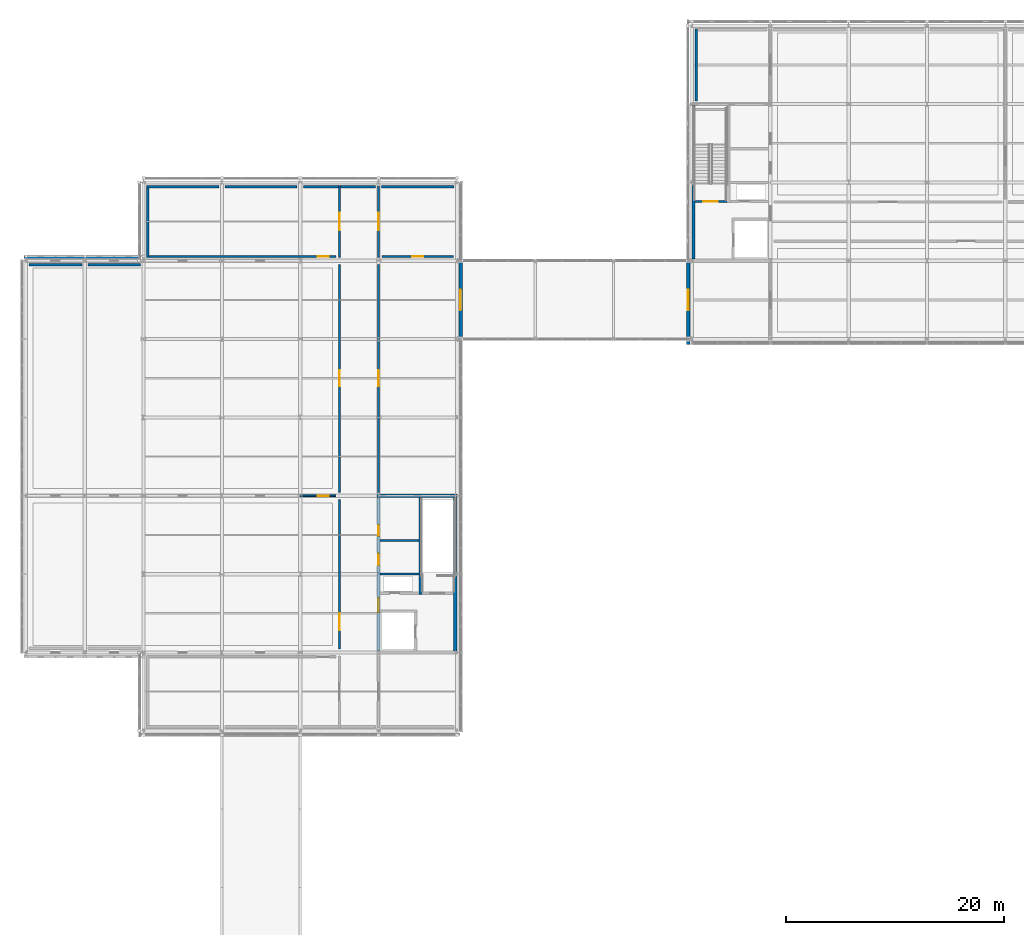
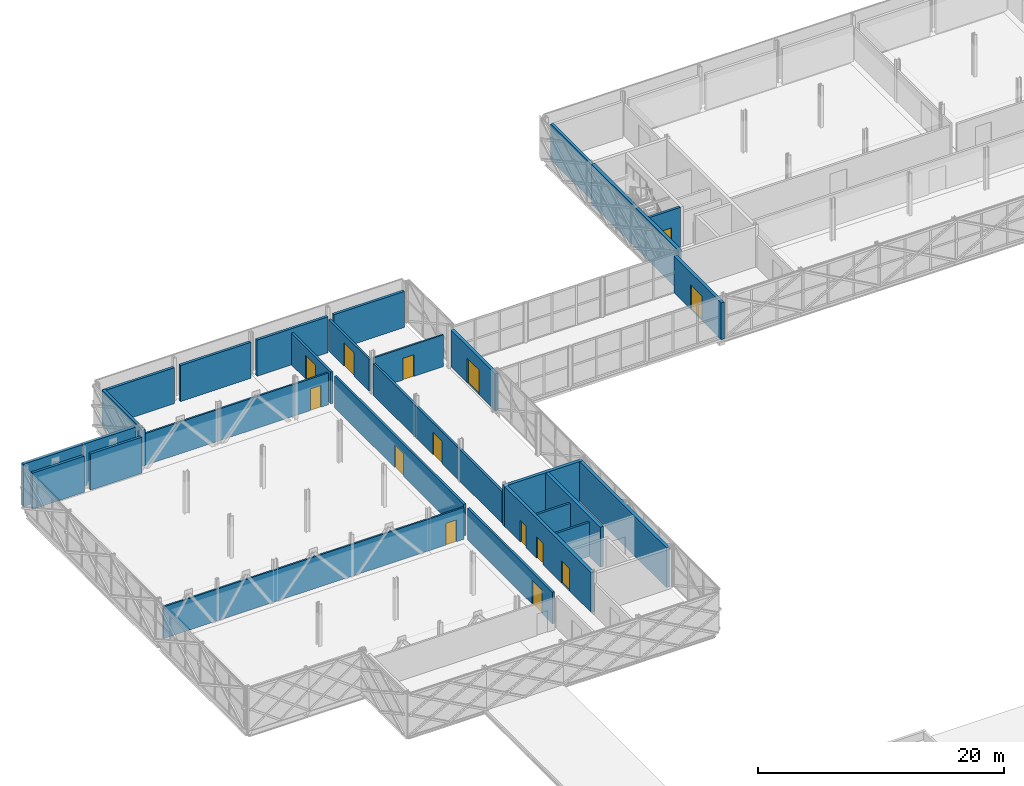
# One storey, part 88 of 103: 28 walls, 14 doors, 14 openings.
"""IFC4 building model written with IfcOpenShell, lengths in metres."""

from ifc_helpers import new_model, si_unit, direction, frame, frame_2d, origin, place, context, subcontext, project, spatial, rectangle, extrude, material, layer, layer_set, type_object, element, fill, save


model = new_model("IFC4")

# Units and contexts
model_context = context("Model", 3, precision=1e-05, world=origin(), true_north=direction((0.0, 1.0)))
body_context = subcontext(model_context, "Body", "Model", "MODEL_VIEW")
ifc_project = project(units=[si_unit("LENGTHUNIT", "METRE"), si_unit("AREAUNIT", "SQUARE_METRE"), si_unit("VOLUMEUNIT", "CUBIC_METRE"), si_unit("PLANEANGLEUNIT", "RADIAN"), si_unit("MASSUNIT", "GRAM", prefix="KILO")], contexts=[model_context])

# Site, building, storey
site_placement = place(None, origin())
site = spatial("IfcSite", under=ifc_project, at=site_placement, CompositionType="ELEMENT")
building_placement = place(site_placement, origin())
building = spatial("IfcBuilding", under=site, at=building_placement, Name="Zlatovets Crest Museum", CompositionType="ELEMENT")
storey_placement = place(building_placement, frame((0.0, 0.0, 12.89990234375)))
storey = spatial("IfcBuildingStorey", under=building, at=storey_placement, Name="L03", CompositionType="ELEMENT", Elevation=12.89990234375)

# Walls
ifc_material_1 = material(Name="Concrete C35/45", Category="concrete")
ifc_layer_1 = layer(ifc_material_1, 0.300048828125)
ifc_layer_set_1 = layer_set([ifc_layer_1], Name="Concrete C35/45")
wall_type_1 = type_object("IfcWallType", Name="CoreWall_SW01", PredefinedType="SHEAR", material=ifc_layer_set_1)
wall_1_placement = place(storey_placement, frame((57.75, 93.75, 0.0), z_axis=(0.0, 0.0, 1.0), x_axis=(0.0, 1.0, 0.0)))
element("IfcWall", 1, at=wall_1_placement, inside=storey, type_object=wall_type_1, Name="Core C1 L03 Perimeter Shear Wall", PredefinedType="SHEAR", context=body_context, shape_type="SweptSolid", body=[
    extrude(rectangle(XDim=14.10009765625, YDim=0.300048828125, at=frame_2d((7.050048828125, 0.0))), origin(), (0.0, 0.0, 1.0), 3.960205078125),
])
wall_2_placement = place(storey_placement, frame((28.64990234375, 72.0, 0.0), z_axis=(0.0, 0.0, 1.0), x_axis=(1.0, 0.0, 0.0)))
element("IfcWall", 2, at=wall_2_placement, inside=storey, type_object=wall_type_1, Name="Core C4 L03 North Shear Wall", PredefinedType="SHEAR", context=body_context, shape_type="SweptSolid", body=[
    extrude(rectangle(XDim=7.35009765625, YDim=0.300048828125, at=frame_2d((3.675048828125, 0.0))), origin(), (0.0, 0.0, 1.0), 3.960205078125),
])
wall_3_placement = place(storey_placement, frame((35.85009765625, 57.75, 0.0), z_axis=(0.0, 0.0, 1.0), x_axis=(0.0, 1.0, 0.0)))
element("IfcWall", 3, at=wall_3_placement, inside=storey, type_object=wall_type_1, Name="Core C4 L03 Perimeter Shear Wall", PredefinedType="SHEAR", context=body_context, shape_type="SweptSolid", body=[
    extrude(rectangle(XDim=14.10009765625, YDim=0.300048828125, at=frame_2d((7.050048828125, 0.0))), origin(), (0.0, 0.0, 1.0), 3.960205078125),
])

# Wall, openings, doors
wall_4_placement = place(storey_placement, frame((28.800048828125, 57.75, 0.0), z_axis=(0.0, 0.0, 1.0), x_axis=(0.0, 1.0, 0.0)))
wall_4 = element("IfcWall", 4, at=wall_4_placement, inside=storey, type_object=wall_type_1, Name="Core C4 L03 Spine Shear Wall", PredefinedType="SHEAR", context=body_context, shape_type="SweptSolid", body=[
    extrude(rectangle(XDim=14.10009765625, YDim=0.300048828125, at=frame_2d((7.050048828125, 0.0))), origin(), (0.0, 0.0, 1.0), 3.960205078125),
])
opening_1_placement = place(wall_4_placement, frame((3.550048828125, 0.0, 0.0)))
opening_1 = element("IfcOpeningElement", 5, at=opening_1_placement, cuts=wall_4, Name="Opening FD-01", PredefinedType="OPENING", context=body_context, shape_type="SweptSolid", body=[
    extrude(rectangle(XDim=1.300048828125, YDim=2.199951171875, at=frame_2d((0.64990234375, 1.10009765625))), frame((0.0, 0.16015625, 0.0), z_axis=(0.0, -1.0, 0.0), x_axis=(1.0, 0.0, 0.0)), (0.0, 0.0, 1.0), 0.320068359375),
])
opening_2_placement = place(wall_4_placement, frame((7.85009765625, 0.0, 0.0)))
opening_2 = element("IfcOpeningElement", 6, at=opening_2_placement, cuts=wall_4, Name="Opening ID-02", PredefinedType="OPENING", context=body_context, shape_type="SweptSolid", body=[
    extrude(rectangle(XDim=1.050048828125, YDim=2.14990234375, at=frame_2d((0.52490234375, 1.074951171875))), frame((0.0, 0.16015625, 0.0), z_axis=(0.0, -1.0, 0.0), x_axis=(1.0, 0.0, 0.0)), (0.0, 0.0, 1.0), 0.320068359375),
])
opening_3_placement = place(wall_4_placement, frame((10.550048828125, 0.0, 0.0)))
opening_3 = element("IfcOpeningElement", 7, at=opening_3_placement, cuts=wall_4, Name="Opening ID-01", PredefinedType="OPENING", context=body_context, shape_type="SweptSolid", body=[
    extrude(rectangle(XDim=1.0, YDim=2.14990234375, at=frame_2d((0.5, 1.074951171875))), frame((0.0, 0.16015625, 0.0), z_axis=(0.0, -1.0, 0.0), x_axis=(1.0, 0.0, 0.0)), (0.0, 0.0, 1.0), 0.320068359375),
])
ifc_material_2 = material(Name="Smoke-sealed steel fire door", Category="steel")
door_type_1 = type_object("IfcDoorType", Name="IntDoor_FD-01", OperationType="NOTDEFINED", PredefinedType="DOOR", material=ifc_material_2)
door_1_placement = place(opening_1_placement, origin())
door_1 = element("IfcDoor", 8, at=door_1_placement, inside=storey, type_object=door_type_1, Name="CDOOR-C4-L03-LOB Core C4 L03 Lobby Fire Door", OperationType="SINGLE_SWING_LEFT", OverallHeight=2.199951171875, OverallWidth=1.300048828125, PredefinedType="DOOR", context=body_context, shape_type="SweptSolid", body=[
    extrude(rectangle(XDim=1.300048828125, YDim=2.199951171875, at=frame_2d((0.64990234375, 1.10009765625))), frame((0.0, 0.02490234375, 0.0), z_axis=(0.0, -1.0, 0.0), x_axis=(1.0, 0.0, 0.0)), (0.0, 0.0, 1.0), 0.050048828125),
])
fill(opening_1, door_1)
ifc_material_3 = material(Name="Solid oak museum room door")
door_type_2 = type_object("IfcDoorType", Name="IntDoor_ID-01", OperationType="NOTDEFINED", PredefinedType="DOOR", material=ifc_material_3)
door_2_placement = place(opening_3_placement, origin())
door_2 = element("IfcDoor", 9, at=door_2_placement, inside=storey, type_object=door_type_2, Name="CDOOR-C4-L03-WC Core C4 L03 Public Restroom Door", OperationType="SINGLE_SWING_RIGHT", OverallHeight=2.14990234375, OverallWidth=1.0, PredefinedType="DOOR", context=body_context, shape_type="SweptSolid", body=[
    extrude(rectangle(XDim=1.0, YDim=2.14990234375, at=frame_2d((0.5, 1.074951171875))), frame((0.0, 0.02490234375, 0.0), z_axis=(0.0, -1.0, 0.0), x_axis=(1.0, 0.0, 0.0)), (0.0, 0.0, 1.0), 0.050048828125),
])
fill(opening_3, door_2)
ifc_material_4 = material(Name="Accessible sanitary room door")
door_type_3 = type_object("IfcDoorType", Name="IntDoor_ID-02", OperationType="NOTDEFINED", PredefinedType="DOOR", material=ifc_material_4)
door_3_placement = place(opening_2_placement, origin())
door_3 = element("IfcDoor", 10, at=door_3_placement, inside=storey, type_object=door_type_3, Name="CDOOR-C4-L03-AWC Core C4 L03 Accessible WC Door", OperationType="SINGLE_SWING_LEFT", OverallHeight=2.14990234375, OverallWidth=1.050048828125, PredefinedType="DOOR", context=body_context, shape_type="SweptSolid", body=[
    extrude(rectangle(XDim=1.050048828125, YDim=2.14990234375, at=frame_2d((0.52490234375, 1.074951171875))), frame((0.0, 0.02490234375, 0.0), z_axis=(0.0, -1.0, 0.0), x_axis=(1.0, 0.0, 0.0)), (0.0, 0.0, 1.0), 0.050048828125),
])
fill(opening_2, door_3)

# Wall
wall_5_placement = place(storey_placement, frame((32.64990234375, 62.93994140625, 0.0), z_axis=(0.0, 0.0, 1.0), x_axis=(0.0, 1.0, 0.0)))
element("IfcWall", 11, at=wall_5_placement, inside=storey, type_object=wall_type_1, Name="Core C4 L03 Stair Divider Wall", PredefinedType="SHEAR", context=body_context, shape_type="SweptSolid", body=[
    extrude(rectangle(XDim=8.91015625, YDim=0.300048828125, at=frame_2d((4.455078125, 0.0))), origin(), (0.0, 0.0, 1.0), 3.960205078125),
])

# Wall, opening, door
ifc_layer_2 = layer(ifc_material_1, 0.25)
ifc_layer_set_2 = layer_set([ifc_layer_2], Name="Concrete C35/45")
wall_type_2 = type_object("IfcWallType", Name="CoreWall_SW02", PredefinedType="SHEAR", material=ifc_layer_set_2)
wall_6_placement = place(storey_placement, frame((57.89990234375, 99.050048828125, 0.0), z_axis=(0.0, 0.0, 1.0), x_axis=(1.0, 0.0, 0.0)))
wall_6 = element("IfcWall", 12, at=wall_6_placement, inside=storey, type_object=wall_type_2, Name="Core C1 L03 Stairwell Fire Wall", PredefinedType="SHEAR", context=body_context, shape_type="SweptSolid", body=[
    extrude(rectangle(XDim=2.900146484375, YDim=0.219970703125, at=frame_2d((1.4501953125, 0.0))), origin(), (0.0, 0.0, 1.0), 3.960205078125),
])
opening_4_placement = place(wall_6_placement, frame((0.75, 0.0, 0.0)))
opening_4 = element("IfcOpeningElement", 13, at=opening_4_placement, cuts=wall_6, Name="Opening FD-01", PredefinedType="OPENING", context=body_context, shape_type="SweptSolid", body=[
    extrude(rectangle(XDim=1.300048828125, YDim=2.199951171875, at=frame_2d((0.64990234375, 1.10009765625))), frame((0.0, 0.1201171875, 0.0), z_axis=(0.0, -1.0, 0.0), x_axis=(1.0, 0.0, 0.0)), (0.0, 0.0, 1.0), 0.239990234375),
])
door_4_placement = place(opening_4_placement, origin())
door_4 = element("IfcDoor", 14, at=door_4_placement, inside=storey, type_object=door_type_1, Name="SDOOR-ST1-L03 Stair ST1 L03 Fire Door", OperationType="SINGLE_SWING_LEFT", OverallHeight=2.199951171875, OverallWidth=1.300048828125, PredefinedType="DOOR", context=body_context, shape_type="SweptSolid", body=[
    extrude(rectangle(XDim=1.300048828125, YDim=2.199951171875, at=frame_2d((0.64990234375, 1.10009765625))), frame((0.0, 0.02490234375, 0.0), z_axis=(0.0, -1.0, 0.0), x_axis=(1.0, 0.0, 0.0)), (0.0, 0.0, 1.0), 0.050048828125),
])
fill(opening_4, door_4)

# Wall
ifc_material_5 = material(Name="Insulated gallery conservation liner wall", Category="concrete")
ifc_layer_3 = layer(ifc_material_5, 0.300048828125)
ifc_layer_set_3 = layer_set([ifc_layer_3], Name="Insulated gallery conservation liner wall")
wall_type_3 = type_object("IfcWallType", Name="ExtWall_EW-02", PredefinedType="STANDARD", material=ifc_layer_set_3)
wall_7_placement = place(storey_placement, frame((57.97998046875, 114.919921875, 0.0), z_axis=(0.0, 0.0, 1.0), x_axis=(0.0, -1.0, 0.0)))
element("IfcWall", 15, at=wall_7_placement, inside=storey, type_object=wall_type_3, Name="V1 L03 Interior Conservation Gallery Liner Wall", PredefinedType="STANDARD", context=body_context, shape_type="SweptSolid", body=[
    extrude(rectangle(XDim=6.639892578125, YDim=0.239990234375, at=frame_2d((3.31982421875, 0.0))), origin(), (0.0, 0.0, 1.0), 3.56005859375),
])

# Wall, opening, door
wall_8_placement = place(storey_placement, frame((57.260009765625, 93.60009765625, 0.0), z_axis=(0.0, 0.0, 1.0), x_axis=(0.0, -1.0, 0.0)))
wall_8 = element("IfcWall", 16, at=wall_8_placement, inside=storey, type_object=wall_type_3, Name="V1 L03 Bridge Portal Wall", PredefinedType="STANDARD", context=body_context, shape_type="SweptSolid", body=[
    extrude(rectangle(XDim=7.68017578125, YDim=0.300048828125, at=frame_2d((3.840087890625, 0.0))), origin(), (0.0, 0.0, 1.0), 3.650146484375),
])
opening_5_placement = place(wall_8_placement, frame((2.64990234375, 0.0, 0.0)))
opening_5 = element("IfcOpeningElement", 17, at=opening_5_placement, cuts=wall_8, Name="Opening ED-02", PredefinedType="OPENING", context=body_context, shape_type="SweptSolid", body=[
    extrude(rectangle(XDim=1.89990234375, YDim=2.449951171875, at=frame_2d((0.949951171875, 1.22509765625))), frame((0.0, 0.16015625, 0.0), z_axis=(0.0, -1.0, 0.0), x_axis=(1.0, 0.0, 0.0)), (0.0, 0.0, 1.0), 0.320068359375),
])
ifc_material_6 = material(Name="Bronze-clad insulated steel door", Category="steel")
door_type_4 = type_object("IfcDoorType", Name="ExtDoor_ED-02", OperationType="NOTDEFINED", PredefinedType="DOOR", material=ifc_material_6)
door_5_placement = place(opening_5_placement, origin())
door_5 = element("IfcDoor", 18, at=door_5_placement, inside=storey, type_object=door_type_4, Name="ED-V1-L03-BR009 V1 L03 Bridge Link Portal Door", OperationType="DOUBLE_DOOR_SINGLE_SWING", OverallHeight=2.449951171875, OverallWidth=1.89990234375, PredefinedType="DOOR", context=body_context, shape_type="SweptSolid", body=[
    extrude(rectangle(XDim=1.89990234375, YDim=2.449951171875, at=frame_2d((0.949951171875, 1.22509765625))), frame((0.0, 0.02490234375, 0.0), z_axis=(0.0, -1.0, 0.0), x_axis=(1.0, 0.0, 0.0)), (0.0, 0.0, 1.0), 0.050048828125),
])
fill(opening_5, door_5)

wall_9_placement = place(storey_placement, frame((36.340087890625, 86.39990234375, 0.0), z_axis=(0.0, 0.0, 1.0), x_axis=(0.0, 1.0, 0.0)))
wall_9 = element("IfcWall", 19, at=wall_9_placement, inside=storey, type_object=wall_type_3, Name="V4 L03 Bridge Portal Wall", PredefinedType="STANDARD", context=body_context, shape_type="SweptSolid", body=[
    extrude(rectangle(XDim=7.2001953125, YDim=0.300048828125, at=frame_2d((3.60009765625, 0.0))), origin(), (0.0, 0.0, 1.0), 3.650146484375),
])
opening_6_placement = place(wall_9_placement, frame((2.64990234375, 0.0, 0.0)))
opening_6 = element("IfcOpeningElement", 20, at=opening_6_placement, cuts=wall_9, Name="Opening ED-02", PredefinedType="OPENING", context=body_context, shape_type="SweptSolid", body=[
    extrude(rectangle(XDim=1.89990234375, YDim=2.449951171875, at=frame_2d((0.949951171875, 1.22509765625))), frame((0.0, 0.16015625, 0.0), z_axis=(0.0, -1.0, 0.0), x_axis=(1.0, 0.0, 0.0)), (0.0, 0.0, 1.0), 0.320068359375),
])
door_6_placement = place(opening_6_placement, origin())
door_6 = element("IfcDoor", 21, at=door_6_placement, inside=storey, type_object=door_type_4, Name="ED-V4-L03-BR041 V4 L03 Bridge Link Portal Door", OperationType="DOUBLE_DOOR_SINGLE_SWING", OverallHeight=2.449951171875, OverallWidth=1.89990234375, PredefinedType="DOOR", context=body_context, shape_type="SweptSolid", body=[
    extrude(rectangle(XDim=1.89990234375, YDim=2.449951171875, at=frame_2d((0.949951171875, 1.22509765625))), frame((0.0, 0.02490234375, 0.0), z_axis=(0.0, -1.0, 0.0), x_axis=(1.0, 0.0, 0.0)), (0.0, 0.0, 1.0), 0.050048828125),
])
fill(opening_6, door_6)

# Walls
for number, where, z_axis, x_axis, name in (
    (22, (14.1201171875, 100.419921875, 0.0), (0.0, 0.0, 1.0), (-1.0, 0.0, 0.0), "V4 L03 Interior Conservation Gallery Liner Wall"),
    (23, (21.320068359375, 100.419921875, 0.0), (0.0, 0.0, 1.0), (-1.0, 0.0, 0.0), "V4 L03 Interior Conservation Gallery Liner Wall"),
    (24, (28.52001953125, 100.419921875, 0.0), (0.0, 0.0, 1.0), (-1.0, 0.0, 0.0), "V4 L03 Interior Conservation Gallery Liner Wall"),
):
    element("IfcWall", number, at=place(storey_placement, frame(where, z_axis=z_axis, x_axis=x_axis)), inside=storey, type_object=wall_type_3, Name=name, PredefinedType="STANDARD", context=body_context, shape_type="SweptSolid", body=[
        extrude(rectangle(XDim=6.64013671875, YDim=0.239990234375, at=frame_2d((3.320068359375, 0.0))), origin(), (0.0, 0.0, 1.0), 3.580078125),
    ])
wall_10_placement = place(storey_placement, frame((35.719970703125, 100.419921875, 0.0), z_axis=(0.0, 0.0, 1.0), x_axis=(-1.0, 0.0, 0.0)))
element("IfcWall", 25, at=wall_10_placement, inside=storey, type_object=wall_type_3, Name="V4 L03 Interior Conservation Gallery Liner Wall", PredefinedType="STANDARD", context=body_context, shape_type="SweptSolid", body=[
    extrude(rectangle(XDim=6.639892578125, YDim=0.239990234375, at=frame_2d((3.31982421875, 0.0))), origin(), (0.0, 0.0, 1.0), 3.580078125),
])
wall_11_placement = place(storey_placement, frame((7.580078125, 100.52001953125, 0.0), z_axis=(0.0, 0.0, 1.0), x_axis=(0.0, -1.0, 0.0)))
element("IfcWall", 26, at=wall_11_placement, inside=storey, type_object=wall_type_3, Name="V4 L03 Interior Conservation Gallery Liner Wall", PredefinedType="STANDARD", context=body_context, shape_type="SweptSolid", body=[
    extrude(rectangle(XDim=6.64013671875, YDim=0.239990234375, at=frame_2d((3.320068359375, 0.0))), origin(), (0.0, 0.0, 1.0), 3.580078125),
])
wall_12_placement = place(storey_placement, frame((6.919921875, 93.219970703125, 0.0), z_axis=(0.0, 0.0, 1.0), x_axis=(-1.0, 0.0, 0.0)))
element("IfcWall", 27, at=wall_12_placement, inside=storey, type_object=wall_type_3, Name="V4 L03 Interior Conservation Gallery Liner Wall", PredefinedType="STANDARD", context=body_context, shape_type="SweptSolid", body=[
    extrude(rectangle(XDim=4.83984375, YDim=0.239990234375, at=frame_2d((2.419921875, 0.0))), origin(), (0.0, 0.0, 1.0), 3.580078125),
])
wall_13_placement = place(storey_placement, frame((1.52001953125, 93.219970703125, 0.0), z_axis=(0.0, 0.0, 1.0), x_axis=(-1.0, 0.0, 0.0)))
element("IfcWall", 28, at=wall_13_placement, inside=storey, type_object=wall_type_3, Name="V4 L03 Interior Conservation Gallery Liner Wall", PredefinedType="STANDARD", context=body_context, shape_type="SweptSolid", body=[
    extrude(rectangle(XDim=4.840087890625, YDim=0.239990234375, at=frame_2d((2.419921875, 0.0))), origin(), (0.0, 0.0, 1.0), 3.580078125),
])
ifc_material_7 = material(Name="Polychrome majolica ceramic spandrel wall", Category="masonry")
ifc_layer_4 = layer(ifc_material_7, 0.280029296875)
ifc_layer_set_4 = layer_set([ifc_layer_4], Name="Polychrome majolica ceramic spandrel wall")
wall_type_4 = type_object("IfcWallType", Name="ExtWall_EW-03", PredefinedType="STANDARD", material=ifc_layer_set_4)
wall_14_placement = place(storey_placement, frame((6.719970703125, 93.93994140625, 0.0), z_axis=(0.0, 0.0, 1.0), x_axis=(-1.0, 0.0, 0.0)))
element("IfcWall", 29, at=wall_14_placement, inside=storey, type_object=wall_type_4, Name="V4 L03 Transfer Truss Majolica Spandrel Wall", PredefinedType="STANDARD", context=body_context, shape_type="SweptSolid", body=[
    extrude(rectangle(XDim=4.919921875, YDim=0.280029296875, at=frame_2d((2.4599609375, 0.0))), origin(), (0.0, 0.0, 1.0), 4.2001953125),
])
wall_15_placement = place(storey_placement, frame((1.800048828125, 93.93994140625, 0.0), z_axis=(0.0, 0.0, 1.0), x_axis=(-1.0, 0.0, 0.0)))
element("IfcWall", 30, at=wall_15_placement, inside=storey, type_object=wall_type_4, Name="V4 L03 Transfer Truss Majolica Spandrel Wall", PredefinedType="STANDARD", context=body_context, shape_type="SweptSolid", body=[
    extrude(rectangle(XDim=5.60009765625, YDim=0.280029296875, at=frame_2d((2.800048828125, 0.0))), origin(), (0.0, 0.0, 1.0), 4.2001953125),
])

# Wall, opening, door
ifc_material_8 = material(Name="Gypsum-encased fire compartment partition")
ifc_layer_5 = layer(ifc_material_8, 0.199951171875)
ifc_layer_set_5 = layer_set([ifc_layer_5], Name="Gypsum-encased fire compartment partition")
wall_type_5 = type_object("IfcWallType", Name="PartWall_PT-01", PredefinedType="PARTITIONING", material=ifc_layer_set_5)
wall_16_placement = place(storey_placement, frame((25.199951171875, 57.919921875, 0.0), z_axis=(0.0, 0.0, 1.0), x_axis=(0.0, 1.0, 0.0)))
wall_16 = element("IfcWall", 31, at=wall_16_placement, inside=storey, type_object=wall_type_5, Name="V4 L03 Interior Partition PT-01", PredefinedType="PARTITIONING", context=body_context, shape_type="SweptSolid", body=[
    extrude(rectangle(XDim=13.760009765625, YDim=0.199951171875, at=frame_2d((6.8798828125, 0.0))), origin(), (0.0, 0.0, 1.0), 3.150146484375),
])
opening_7_placement = place(wall_16_placement, frame((1.701904296875, 0.0, 0.0)))
opening_7 = element("IfcOpeningElement", 32, at=opening_7_placement, cuts=wall_16, Name="Opening ID-04", PredefinedType="OPENING", context=body_context, shape_type="SweptSolid", body=[
    extrude(rectangle(XDim=1.60009765625, YDim=2.35009765625, at=frame_2d((0.800048828125, 1.175048828125))), frame((0.0, 0.10986328125, 0.0), z_axis=(0.0, -1.0, 0.0), x_axis=(1.0, 0.0, 0.0)), (0.0, 0.0, 1.0), 0.219970703125),
])
ifc_material_9 = material(Name="Gallery salon double portal door")
door_type_5 = type_object("IfcDoorType", Name="IntDoor_ID-04", OperationType="DOUBLE_DOOR_SINGLE_SWING", PredefinedType="DOOR", material=ifc_material_9)
door_7_placement = place(opening_7_placement, origin())
door_7 = element("IfcDoor", 33, at=door_7_placement, inside=storey, type_object=door_type_5, Name="IDOOR-V4-L03-0197 Cantilever Level Corridor to Cantilevered Panoramic Gallery Door", OperationType="DOUBLE_DOOR_SINGLE_SWING", OverallHeight=2.35009765625, OverallWidth=1.60009765625, PredefinedType="DOOR", context=body_context, shape_type="SweptSolid", body=[
    extrude(rectangle(XDim=1.60009765625, YDim=2.35009765625, at=frame_2d((0.800048828125, 1.175048828125))), frame((0.0, 0.02490234375, 0.0), z_axis=(0.0, -1.0, 0.0), x_axis=(1.0, 0.0, 0.0)), (0.0, 0.0, 1.0), 0.050048828125),
])
fill(opening_7, door_7)

wall_17_placement = place(storey_placement, frame((25.199951171875, 72.320068359375, 0.0), z_axis=(0.0, 0.0, 1.0), x_axis=(0.0, 1.0, 0.0)))
wall_17 = element("IfcWall", 34, at=wall_17_placement, inside=storey, type_object=wall_type_5, Name="V4 L03 Interior Partition PT-01", PredefinedType="PARTITIONING", context=body_context, shape_type="SweptSolid", body=[
    extrude(rectangle(XDim=20.9599609375, YDim=0.199951171875, at=frame_2d((10.47998046875, 0.0))), origin(), (0.0, 0.0, 1.0), 3.150146484375),
])
opening_8_placement = place(wall_17_placement, frame((9.72998046875, 0.0, 0.0)))
opening_8 = element("IfcOpeningElement", 35, at=opening_8_placement, cuts=wall_17, Name="Opening FD-02", PredefinedType="OPENING", context=body_context, shape_type="SweptSolid", body=[
    extrude(rectangle(XDim=1.5, YDim=2.25, at=frame_2d((0.75, 1.125))), frame((0.0, 0.10986328125, 0.0), z_axis=(0.0, -1.0, 0.0), x_axis=(1.0, 0.0, 0.0)), (0.0, 0.0, 1.0), 0.219970703125),
])
ifc_material_10 = material(Name="Double corridor compartment fire door")
door_type_6 = type_object("IfcDoorType", Name="IntDoor_FD-02", OperationType="DOUBLE_DOOR_SINGLE_SWING", PredefinedType="DOOR", material=ifc_material_10)
door_8_placement = place(opening_8_placement, origin())
door_8 = element("IfcDoor", 36, at=door_8_placement, inside=storey, type_object=door_type_6, Name="IDOOR-V4-L03-0198 Cantilever Level Corridor to North Cantilevered Belvedere Gallery Door", OperationType="DOUBLE_DOOR_SINGLE_SWING", OverallHeight=2.25, OverallWidth=1.5, PredefinedType="DOOR", context=body_context, shape_type="SweptSolid", body=[
    extrude(rectangle(XDim=1.5, YDim=2.25, at=frame_2d((0.75, 1.125))), frame((0.0, 0.02490234375, 0.0), z_axis=(0.0, -1.0, 0.0), x_axis=(1.0, 0.0, 0.0)), (0.0, 0.0, 1.0), 0.050048828125),
])
fill(opening_8, door_8)

wall_18_placement = place(storey_placement, frame((25.199951171875, 93.919921875, 0.0), z_axis=(0.0, 0.0, 1.0), x_axis=(0.0, 1.0, 0.0)))
wall_18 = element("IfcWall", 37, at=wall_18_placement, inside=storey, type_object=wall_type_5, Name="V4 L03 Interior Partition PT-01", PredefinedType="PARTITIONING", context=body_context, shape_type="SweptSolid", body=[
    extrude(rectangle(XDim=6.56005859375, YDim=0.199951171875, at=frame_2d((3.280029296875, 0.0))), origin(), (0.0, 0.0, 1.0), 3.150146484375),
])
opening_9_placement = place(wall_18_placement, frame((2.47998046875, 0.0, 0.0)))
opening_9 = element("IfcOpeningElement", 38, at=opening_9_placement, cuts=wall_18, Name="Opening ID-04", PredefinedType="OPENING", context=body_context, shape_type="SweptSolid", body=[
    extrude(rectangle(XDim=1.60009765625, YDim=2.35009765625, at=frame_2d((0.800048828125, 1.175048828125))), frame((0.0, 0.10986328125, 0.0), z_axis=(0.0, -1.0, 0.0), x_axis=(1.0, 0.0, 0.0)), (0.0, 0.0, 1.0), 0.219970703125),
])
door_9_placement = place(opening_9_placement, origin())
door_9 = element("IfcDoor", 39, at=door_9_placement, inside=storey, type_object=door_type_5, Name="IDOOR-V4-L03-0200 Cantilever Level Corridor to Architectural Drawings Cabinet Door", OperationType="DOUBLE_DOOR_SINGLE_SWING", OverallHeight=2.35009765625, OverallWidth=1.60009765625, PredefinedType="DOOR", context=body_context, shape_type="SweptSolid", body=[
    extrude(rectangle(XDim=1.60009765625, YDim=2.35009765625, at=frame_2d((0.800048828125, 1.175048828125))), frame((0.0, 0.02490234375, 0.0), z_axis=(0.0, -1.0, 0.0), x_axis=(1.0, 0.0, 0.0)), (0.0, 0.0, 1.0), 0.050048828125),
])
fill(opening_9, door_9)

wall_19_placement = place(storey_placement, frame((28.800048828125, 72.320068359375, 0.0), z_axis=(0.0, 0.0, 1.0), x_axis=(0.0, 1.0, 0.0)))
wall_19 = element("IfcWall", 40, at=wall_19_placement, inside=storey, type_object=wall_type_5, Name="V4 L03 Interior Partition PT-01", PredefinedType="PARTITIONING", context=body_context, shape_type="SweptSolid", body=[
    extrude(rectangle(XDim=20.9599609375, YDim=0.199951171875, at=frame_2d((10.47998046875, 0.0))), origin(), (0.0, 0.0, 1.0), 3.150146484375),
])
opening_10_placement = place(wall_19_placement, frame((9.72998046875, 0.0, 0.0)))
opening_10 = element("IfcOpeningElement", 41, at=opening_10_placement, cuts=wall_19, Name="Opening FD-02", PredefinedType="OPENING", context=body_context, shape_type="SweptSolid", body=[
    extrude(rectangle(XDim=1.5, YDim=2.25, at=frame_2d((0.75, 1.125))), frame((0.0, 0.10986328125, 0.0), z_axis=(0.0, -1.0, 0.0), x_axis=(1.0, 0.0, 0.0)), (0.0, 0.0, 1.0), 0.219970703125),
])
door_10_placement = place(opening_10_placement, origin())
door_10 = element("IfcDoor", 42, at=door_10_placement, inside=storey, type_object=door_type_6, Name="IDOOR-V4-L03-0201 Cantilever Level Corridor to Panoramic Scholars Reading Lounge Door", OperationType="DOUBLE_DOOR_SINGLE_SWING", OverallHeight=2.25, OverallWidth=1.5, PredefinedType="DOOR", context=body_context, shape_type="SweptSolid", body=[
    extrude(rectangle(XDim=1.5, YDim=2.25, at=frame_2d((0.75, 1.125))), frame((0.0, 0.02490234375, 0.0), z_axis=(0.0, -1.0, 0.0), x_axis=(1.0, 0.0, 0.0)), (0.0, 0.0, 1.0), 0.050048828125),
])
fill(opening_10, door_10)

wall_20_placement = place(storey_placement, frame((28.800048828125, 93.919921875, 0.0), z_axis=(0.0, 0.0, 1.0), x_axis=(0.0, 1.0, 0.0)))
wall_20 = element("IfcWall", 43, at=wall_20_placement, inside=storey, type_object=wall_type_5, Name="V4 L03 Interior Partition PT-01", PredefinedType="PARTITIONING", context=body_context, shape_type="SweptSolid", body=[
    extrude(rectangle(XDim=6.56005859375, YDim=0.199951171875, at=frame_2d((3.280029296875, 0.0))), origin(), (0.0, 0.0, 1.0), 3.150146484375),
])
opening_11_placement = place(wall_20_placement, frame((2.47998046875, 0.0, 0.0)))
opening_11 = element("IfcOpeningElement", 44, at=opening_11_placement, cuts=wall_20, Name="Opening ID-04", PredefinedType="OPENING", context=body_context, shape_type="SweptSolid", body=[
    extrude(rectangle(XDim=1.60009765625, YDim=2.35009765625, at=frame_2d((0.800048828125, 1.175048828125))), frame((0.0, 0.10986328125, 0.0), z_axis=(0.0, -1.0, 0.0), x_axis=(1.0, 0.0, 0.0)), (0.0, 0.0, 1.0), 0.219970703125),
])
door_11_placement = place(opening_11_placement, origin())
door_11 = element("IfcDoor", 45, at=door_11_placement, inside=storey, type_object=door_type_5, Name="IDOOR-V4-L03-0203 Cantilever Level Corridor to North Crest Bridge Foyer L03 Door", OperationType="DOUBLE_DOOR_SINGLE_SWING", OverallHeight=2.35009765625, OverallWidth=1.60009765625, PredefinedType="DOOR", context=body_context, shape_type="SweptSolid", body=[
    extrude(rectangle(XDim=1.60009765625, YDim=2.35009765625, at=frame_2d((0.800048828125, 1.175048828125))), frame((0.0, 0.02490234375, 0.0), z_axis=(0.0, -1.0, 0.0), x_axis=(1.0, 0.0, 0.0)), (0.0, 0.0, 1.0), 0.050048828125),
])
fill(opening_11, door_11)

ifc_material_11 = material(Name="Acoustic museum gallery stud partition")
ifc_layer_6 = layer(ifc_material_11, 0.159912109375)
ifc_layer_set_6 = layer_set([ifc_layer_6], Name="Acoustic museum gallery stud partition")
wall_type_6 = type_object("IfcWallType", Name="PartWall_PT-02", PredefinedType="PARTITIONING", material=ifc_layer_set_6)
wall_21_placement = place(storey_placement, frame((-3.280029296875, 72.0, 0.0), z_axis=(0.0, 0.0, 1.0), x_axis=(1.0, 0.0, 0.0)))
wall_21 = element("IfcWall", 46, at=wall_21_placement, inside=storey, type_object=wall_type_6, Name="V4 L03 Interior Partition PT-02", PredefinedType="PARTITIONING", context=body_context, shape_type="SweptSolid", body=[
    extrude(rectangle(XDim=28.159912109375, YDim=0.159912109375, at=frame_2d((14.080078125, 0.0))), origin(), (0.0, 0.0, 1.0), 3.150146484375),
])
opening_12_placement = place(wall_21_placement, frame((26.47998046875, 0.0, 0.0)))
opening_12 = element("IfcOpeningElement", 47, at=opening_12_placement, cuts=wall_21, Name="Opening ID-01", PredefinedType="OPENING", context=body_context, shape_type="SweptSolid", body=[
    extrude(rectangle(XDim=1.0, YDim=2.14990234375, at=frame_2d((0.5, 1.074951171875))), frame((0.0, 0.08984375, 0.0), z_axis=(0.0, -1.0, 0.0), x_axis=(1.0, 0.0, 0.0)), (0.0, 0.0, 1.0), 0.179931640625),
])
door_12_placement = place(opening_12_placement, origin())
door_12 = element("IfcDoor", 48, at=door_12_placement, inside=storey, type_object=door_type_2, Name="IDOOR-V4-L03-0204 Cantilevered Panoramic Gallery to North Cantilevered Belvedere Gallery Door", OperationType="SINGLE_SWING_LEFT", OverallHeight=2.14990234375, OverallWidth=1.0, PredefinedType="DOOR", context=body_context, shape_type="SweptSolid", body=[
    extrude(rectangle(XDim=1.0, YDim=2.14990234375, at=frame_2d((0.5, 1.074951171875))), frame((0.0, 0.02490234375, 0.0), z_axis=(0.0, -1.0, 0.0), x_axis=(1.0, 0.0, 0.0)), (0.0, 0.0, 1.0), 0.050048828125),
])
fill(opening_12, door_12)

wall_22_placement = place(storey_placement, frame((7.52001953125, 94.0, 0.0), z_axis=(0.0, 0.0, 1.0), x_axis=(1.0, 0.0, 0.0)))
wall_22 = element("IfcWall", 49, at=wall_22_placement, inside=storey, type_object=wall_type_6, Name="V4 L03 Interior Partition PT-02", PredefinedType="PARTITIONING", context=body_context, shape_type="SweptSolid", body=[
    extrude(rectangle(XDim=17.35986328125, YDim=0.159912109375, at=frame_2d((8.679931640625, 0.0))), origin(), (0.0, 0.0, 1.0), 3.150146484375),
])
opening_13_placement = place(wall_22_placement, frame((15.679931640625, 0.0, 0.0)))
opening_13 = element("IfcOpeningElement", 50, at=opening_13_placement, cuts=wall_22, Name="Opening ID-01", PredefinedType="OPENING", context=body_context, shape_type="SweptSolid", body=[
    extrude(rectangle(XDim=1.0, YDim=2.14990234375, at=frame_2d((0.5, 1.074951171875))), frame((0.0, 0.08984375, 0.0), z_axis=(0.0, -1.0, 0.0), x_axis=(1.0, 0.0, 0.0)), (0.0, 0.0, 1.0), 0.179931640625),
])
door_13_placement = place(opening_13_placement, origin())
door_13 = element("IfcDoor", 51, at=door_13_placement, inside=storey, type_object=door_type_2, Name="IDOOR-V4-L03-0206 North Cantilevered Belvedere Gallery to Architectural Drawings Cabinet Door", OperationType="SINGLE_SWING_LEFT", OverallHeight=2.14990234375, OverallWidth=1.0, PredefinedType="DOOR", context=body_context, shape_type="SweptSolid", body=[
    extrude(rectangle(XDim=1.0, YDim=2.14990234375, at=frame_2d((0.5, 1.074951171875))), frame((0.0, 0.02490234375, 0.0), z_axis=(0.0, -1.0, 0.0), x_axis=(1.0, 0.0, 0.0)), (0.0, 0.0, 1.0), 0.050048828125),
])
fill(opening_13, door_13)

wall_23_placement = place(storey_placement, frame((29.1201171875, 94.0, 0.0), z_axis=(0.0, 0.0, 1.0), x_axis=(1.0, 0.0, 0.0)))
wall_23 = element("IfcWall", 52, at=wall_23_placement, inside=storey, type_object=wall_type_6, Name="V4 L03 Interior Partition PT-02", PredefinedType="PARTITIONING", context=body_context, shape_type="SweptSolid", body=[
    extrude(rectangle(XDim=6.559814453125, YDim=0.159912109375, at=frame_2d((3.27978515625, 0.0))), origin(), (0.0, 0.0, 1.0), 3.150146484375),
])
opening_14_placement = place(wall_23_placement, frame((2.780029296875, 0.0, 0.0)))
opening_14 = element("IfcOpeningElement", 53, at=opening_14_placement, cuts=wall_23, Name="Opening ID-01", PredefinedType="OPENING", context=body_context, shape_type="SweptSolid", body=[
    extrude(rectangle(XDim=1.0, YDim=2.14990234375, at=frame_2d((0.5, 1.074951171875))), frame((0.0, 0.08984375, 0.0), z_axis=(0.0, -1.0, 0.0), x_axis=(1.0, 0.0, 0.0)), (0.0, 0.0, 1.0), 0.179931640625),
])
door_14_placement = place(opening_14_placement, origin())
door_14 = element("IfcDoor", 54, at=door_14_placement, inside=storey, type_object=door_type_2, Name="IDOOR-V4-L03-0207 Panoramic Scholars Reading Lounge to North Crest Bridge Foyer L03 Door", OperationType="SINGLE_SWING_RIGHT", OverallHeight=2.14990234375, OverallWidth=1.0, PredefinedType="DOOR", context=body_context, shape_type="SweptSolid", body=[
    extrude(rectangle(XDim=1.0, YDim=2.14990234375, at=frame_2d((0.5, 1.074951171875))), frame((0.0, 0.02490234375, 0.0), z_axis=(0.0, -1.0, 0.0), x_axis=(1.0, 0.0, 0.0)), (0.0, 0.0, 1.0), 0.050048828125),
])
fill(opening_14, door_14)

# Walls
ifc_material_12 = material(Name="Sanitary core acoustic service wall")
ifc_layer_7 = layer(ifc_material_12, 0.219970703125)
ifc_layer_set_7 = layer_set([ifc_layer_7], Name="Sanitary core acoustic service wall")
wall_type_7 = type_object("IfcWallType", Name="PartWall_PT-04", PredefinedType="PLUMBINGWALL", material=ifc_layer_set_7)
for number, where, z_axis, x_axis, name in (
    (55, (28.949951171875, 64.800048828125, 0.0), (0.0, 0.0, 1.0), (1.0, 0.0, 0.0), "Core C4 L03 Sanitary Divider"),
    (56, (28.949951171875, 67.89990234375, 0.0), (0.0, 0.0, 1.0), (1.0, 0.0, 0.0), "Core C4 L03 Sanitary Divider"),
):
    element("IfcWall", number, at=place(storey_placement, frame(where, z_axis=z_axis, x_axis=x_axis)), inside=storey, type_object=wall_type_7, Name=name, PredefinedType="PLUMBINGWALL", context=body_context, shape_type="SweptSolid", body=[
        extrude(rectangle(XDim=3.550048828125, YDim=0.199951171875, at=frame_2d((1.77490234375, 0.0))), origin(), (0.0, 0.0, 1.0), 3.380126953125),
    ])

save(model, "model.ifc")
